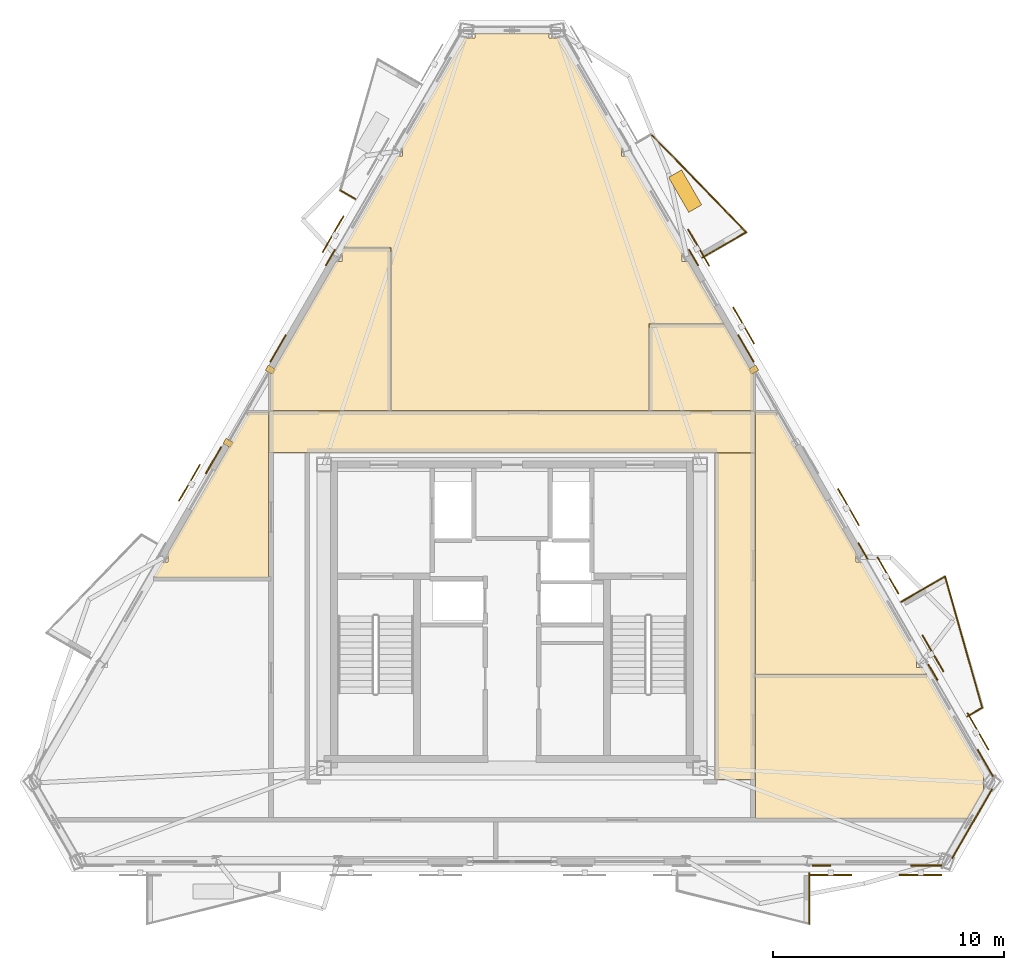
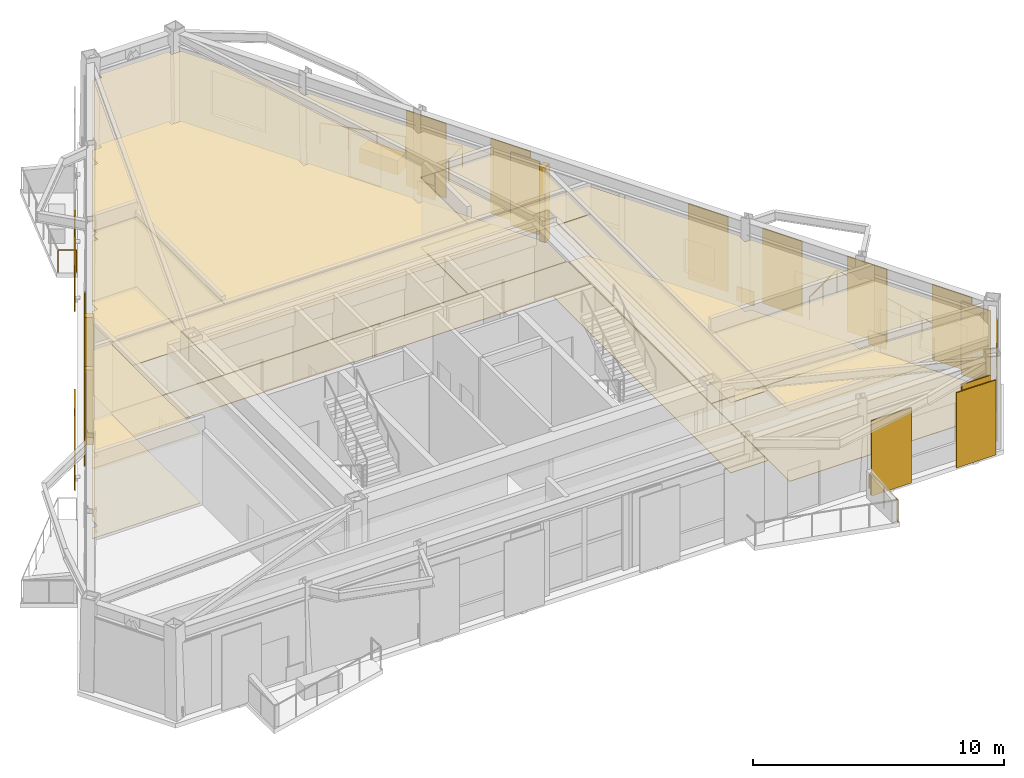
# One storey, part 15 of 16: 31 coverings, 10 shading devices, 7 railings.
"""IFC4 building model written with IfcOpenShell, lengths in metres."""

from ifc_helpers import new_model, si_unit, direction, frame, origin, origin_2d, place, context, subcontext, project, spatial, polyline, rectangle, circle, outline, extrude, material, layer, layer_set, type_object, element, save


model = new_model("IFC4")

# Units and contexts
model_context = context("Model", 3, precision=1e-05, world=origin(), true_north=direction((0.0, 1.0)))
body_context = subcontext(model_context, "Body", "Model", "MODEL_VIEW")
ifc_project = project(units=[si_unit("LENGTHUNIT", "METRE"), si_unit("AREAUNIT", "SQUARE_METRE"), si_unit("VOLUMEUNIT", "CUBIC_METRE"), si_unit("PLANEANGLEUNIT", "RADIAN"), si_unit("MASSUNIT", "GRAM", prefix="KILO")], contexts=[model_context])

# Site, building, storey
site_placement = place(None, origin())
site = spatial("IfcSite", under=ifc_project, at=site_placement, CompositionType="ELEMENT")
building_placement = place(site_placement, origin())
building = spatial("IfcBuilding", under=site, at=building_placement, Name="Oramaril Tower", CompositionType="ELEMENT")
storey_placement = place(building_placement, frame((0.0, 0.0, 296.699951171875)))
storey = spatial("IfcBuildingStorey", under=building, at=storey_placement, Name="L78", CompositionType="ELEMENT", Elevation=296.699951171875)

# Coverings
ifc_material_1 = material(Name="Mineral Fibre Acoustic Ceiling")
ifc_layer_1 = layer(ifc_material_1, 0.02001953125)
ifc_layer_set_1 = layer_set([ifc_layer_1], Name="CVT-CEIL")
covering_type_1 = type_object("IfcCoveringType", Name="CVT-CEIL", PredefinedType="CEILING", material=ifc_layer_set_1)
covering_1_placement = place(storey_placement, frame((0.0, 0.0, 3.412109375)))
element("IfcCovering", 1, at=covering_1_placement, inside=storey, type_object=covering_type_1, Name="L78 Acoustic Suspended Ceiling 2", PredefinedType="CEILING", context=body_context, shape_type="SweptSolid", body=[
    extrude(outline(polyline([(48.030029296875, 26.47998046875), (48.030029296875, 24.669921875), (26.969970703125, 24.669921875), (26.969970703125, 26.47998046875), (48.030029296875, 26.47998046875)])), origin(), (0.0, 0.0, 1.0), 0.02001953125),
])
covering_2_placement = place(storey_placement, frame((0.0, 0.0, 3.412109375)))
element("IfcCovering", 2, at=covering_2_placement, inside=storey, type_object=covering_type_1, Name="L78 Acoustic Suspended Ceiling 4", PredefinedType="CEILING", context=body_context, shape_type="SweptSolid", body=[
    extrude(outline(polyline([(48.030029296875, 10.5), (46.300048828125, 10.5), (46.300048828125, 24.64990234375), (48.030029296875, 24.64990234375), (48.030029296875, 10.5)])), origin(), (0.0, 0.0, 1.0), 0.02001953125),
])
covering_3_placement = place(storey_placement, frame((0.0, 0.0, 3.412109375)))
element("IfcCovering", 3, at=covering_3_placement, inside=storey, type_object=covering_type_1, Name="L78 Acoustic Suspended Ceiling 8", PredefinedType="CEILING", context=body_context, shape_type="SweptSolid", body=[
    extrude(outline(polyline([(22.327880859375, 19.922119140625), (22.593994140625, 19.922119140625), (22.593994140625, 20.370849609375), (22.5869140625, 20.370849609375), (26.092041015625, 26.44189453125), (26.949951171875, 26.44189453125), (26.949951171875, 24.669921875), (26.9501953125, 24.66796875), (26.950439453125, 24.666015625), (26.950927734375, 24.664306640625), (26.951416015625, 24.662353515625), (26.952392578125, 24.66064453125), (26.95263671875, 24.659912109375), (26.952392578125, 24.659423828125), (26.951416015625, 24.65771484375), (26.950927734375, 24.65576171875), (26.950439453125, 24.65380859375), (26.9501953125, 24.652099609375), (26.949951171875, 24.64990234375), (26.949951171875, 19.261962890625), (21.94677734375, 19.261962890625), (22.327880859375, 19.922119140625)])), origin(), (0.0, 0.0, 1.0), 0.02001953125),
])
covering_4_placement = place(storey_placement, frame((0.0, 0.0, 3.412109375)))
element("IfcCovering", 4, at=covering_4_placement, inside=storey, type_object=covering_type_1, Name="L78 Acoustic Suspended Ceiling 9", PredefinedType="CEILING", context=body_context, shape_type="SweptSolid", body=[
    extrude(outline(polyline([(55.48974609375, 15.0419921875), (57.98974609375, 10.7119140625), (57.94140625, 10.7119140625), (57.94140625, 10.02490234375), (57.962646484375, 10.02490234375), (57.2607421875, 8.809326171875), (57.260498046875, 8.8095703125), (57.258544921875, 8.810302734375), (57.2568359375, 8.81103515625), (57.2548828125, 8.8115234375), (57.2529296875, 8.81201171875), (57.2509765625, 8.81201171875), (48.050048828125, 8.81201171875), (48.050048828125, 10.47998046875), (48.0498046875, 10.48193359375), (48.049560546875, 10.48388671875), (48.049072265625, 10.48583984375), (48.048583984375, 10.48779296875), (48.047607421875, 10.489501953125), (48.04736328125, 10.489990234375), (48.047607421875, 10.490478515625), (48.048583984375, 10.4921875), (48.049072265625, 10.494140625), (48.049560546875, 10.49609375), (48.0498046875, 10.498046875), (48.050048828125, 10.5), (48.050048828125, 15.0419921875), (55.48974609375, 15.0419921875)])), origin(), (0.0, 0.0, 1.0), 0.02001953125),
])
covering_5_placement = place(storey_placement, frame((0.0, 0.0, 3.412109375)))
element("IfcCovering", 5, at=covering_5_placement, inside=storey, type_object=covering_type_1, Name="L78 Acoustic Suspended Ceiling 10", PredefinedType="CEILING", context=body_context, shape_type="SweptSolid", body=[
    extrude(outline(polyline([(52.4130859375, 20.370849609375), (52.406005859375, 20.370849609375), (52.406005859375, 19.922119140625), (52.672119140625, 19.922119140625), (55.046142578125, 15.810302734375), (55.042236328125, 15.810302734375), (55.042236328125, 15.3564453125), (55.30810546875, 15.3564453125), (55.478271484375, 15.06201171875), (48.050048828125, 15.06201171875), (48.050048828125, 24.64990234375), (48.0498046875, 24.652099609375), (48.049560546875, 24.65380859375), (48.049072265625, 24.65576171875), (48.048583984375, 24.65771484375), (48.047607421875, 24.659423828125), (48.04736328125, 24.659912109375), (48.047607421875, 24.66064453125), (48.048583984375, 24.662353515625), (48.049072265625, 24.664306640625), (48.049560546875, 24.666015625), (48.0498046875, 24.66796875), (48.050048828125, 24.669921875), (48.050048828125, 26.44189453125), (48.907958984375, 26.44189453125), (52.4130859375, 20.370849609375)])), origin(), (0.0, 0.0, 1.0), 0.02001953125),
])
covering_6_placement = place(storey_placement, frame((0.0, 0.0, 3.412109375)))
element("IfcCovering", 6, at=covering_6_placement, inside=storey, type_object=covering_type_1, Name="L78 Acoustic Suspended Ceiling 11", PredefinedType="CEILING", context=body_context, shape_type="SweptSolid", body=[
    extrude(outline(polyline([(32.241943359375, 26.5), (27.008056640625, 26.5), (27.008056640625, 28.028564453125), (29.859375, 32.96728515625), (30.12548828125, 32.96728515625), (30.12548828125, 33.40087890625), (30.109619140625, 33.40087890625), (30.191162109375, 33.5419921875), (32.241943359375, 33.5419921875), (32.241943359375, 26.5)])), origin(), (0.0, 0.0, 1.0), 0.02001953125),
])
covering_7_placement = place(storey_placement, frame((0.0, 0.0, 3.412109375)))
element("IfcCovering", 7, at=covering_7_placement, inside=storey, type_object=covering_type_1, Name="L78 Acoustic Suspended Ceiling 12", PredefinedType="CEILING", context=body_context, shape_type="SweptSolid", body=[
    extrude(outline(polyline([(43.4580078125, 30.241943359375), (46.714111328125, 30.241943359375), (47.991943359375, 28.028564453125), (47.991943359375, 26.5), (43.4580078125, 26.5), (43.4580078125, 30.241943359375)])), origin(), (0.0, 0.0, 1.0), 0.02001953125),
])
covering_8_placement = place(storey_placement, frame((0.0, 0.0, 3.412109375)))
element("IfcCovering", 8, at=covering_8_placement, inside=storey, type_object=covering_type_1, Name="L78 Acoustic Suspended Ceiling 13", PredefinedType="CEILING", context=body_context, shape_type="SweptSolid", body=[
    extrude(outline(polyline([(32.495361328125, 37.532958984375), (32.761474609375, 37.532958984375), (32.761474609375, 37.961181640625), (32.74267578125, 37.961181640625), (35.4423828125, 42.637451171875), (35.8876953125, 42.637451171875), (35.8876953125, 42.85888671875), (39.1123046875, 42.85888671875), (39.1123046875, 42.637451171875), (39.5576171875, 42.637451171875), (42.25732421875, 37.961181640625), (42.238525390625, 37.961181640625), (42.238525390625, 37.532958984375), (42.504638671875, 37.532958984375), (44.890380859375, 33.40087890625), (44.87451171875, 33.40087890625), (44.87451171875, 32.967041015625), (45.140625, 32.967041015625), (46.702392578125, 30.261962890625), (43.4580078125, 30.261962890625), (43.4560546875, 30.261962890625), (43.4541015625, 30.26171875), (43.4521484375, 30.260986328125), (43.4501953125, 30.260498046875), (43.448486328125, 30.259521484375), (43.447021484375, 30.258544921875), (43.4453125, 30.257568359375), (43.44384765625, 30.256103515625), (43.4423828125, 30.254638671875), (43.44140625, 30.253173828125), (43.4404296875, 30.25146484375), (43.439453125, 30.249755859375), (43.43896484375, 30.247802734375), (43.4384765625, 30.245849609375), (43.43798828125, 30.243896484375), (43.43798828125, 30.241943359375), (43.43798828125, 26.5), (32.261962890625, 26.5), (32.261962890625, 33.5419921875), (32.261962890625, 33.5439453125), (32.26171875, 33.5458984375), (32.260986328125, 33.5478515625), (32.260498046875, 33.5498046875), (32.259521484375, 33.551513671875), (32.258544921875, 33.552978515625), (32.257568359375, 33.5546875), (32.256103515625, 33.55615234375), (32.254638671875, 33.5576171875), (32.253173828125, 33.55859375), (32.25146484375, 33.5595703125), (32.249755859375, 33.560546875), (32.247802734375, 33.56103515625), (32.245849609375, 33.5615234375), (32.243896484375, 33.56201171875), (32.241943359375, 33.56201171875), (30.202880859375, 33.56201171875), (32.495361328125, 37.532958984375)])), origin(), (0.0, 0.0, 1.0), 0.02001953125),
])
ifc_material_2 = material(Name="Warm Cream Limestone", Category="masonry")
ifc_layer_2 = layer(ifc_material_2, 0.050048828125)
ifc_layer_set_2 = layer_set([ifc_layer_2], Name="CVT-CLD")
covering_type_2 = type_object("IfcCoveringType", Name="CVT-CLD", PredefinedType="CLADDING", material=ifc_layer_set_2)
covering_9_placement = place(storey_placement, frame((55.45703125, 6.7734375, 0.0400390625), z_axis=(0.0, 0.0, 1.0), x_axis=(1.0, 0.0, 0.0)))
element("IfcCovering", 9, at=covering_9_placement, inside=storey, type_object=covering_type_2, Name="L78 Warm Cream Limestone Cladding", PredefinedType="CLADDING", context=body_context, shape_type="SweptSolid", body=[
    extrude(rectangle(XDim=1.35009765625, YDim=0.050048828125, at=origin_2d()), origin(), (0.0, 0.0, 1.0), 3.577880859375),
])
covering_10_placement = place(storey_placement, frame((50.912841796875, 6.7734375, 0.0400390625), z_axis=(0.0, 0.0, 1.0), x_axis=(1.0, 0.0, 0.0)))
element("IfcCovering", 10, at=covering_10_placement, inside=storey, type_object=covering_type_2, Name="L78 Warm Cream Limestone Spandrel Cladding", PredefinedType="CLADDING", context=body_context, shape_type="SweptSolid", body=[
    extrude(rectangle(XDim=0.800048828125, YDim=0.050048828125, at=origin_2d()), origin(), (0.0, 0.0, 1.0), 0.679931640625),
])
covering_11_placement = place(storey_placement, frame((57.448486328125, 8.582763671875, 0.0400390625), z_axis=(0.0, 0.0, 1.0), x_axis=(0.499990930976, 0.866030639725, 0.0)))
element("IfcCovering", 11, at=covering_11_placement, inside=storey, type_object=covering_type_2, Name="L78 Warm Cream Limestone Cladding", PredefinedType="CLADDING", context=body_context, shape_type="SweptSolid", body=[
    extrude(rectangle(XDim=3.484375, YDim=0.050048828125, at=origin_2d()), origin(), (0.0, 0.0, 1.0), 3.577880859375),
])
covering_12_placement = place(storey_placement, frame((47.980712890625, 28.26416015625, 0.0), z_axis=(0.0, 0.0, 1.0), x_axis=(-0.5, 0.866025403784, 0.0)))
element("IfcCovering", 12, at=covering_12_placement, inside=storey, type_object=covering_type_2, Name="L78 Curtain Wall Limestone Jamb Closure", PredefinedType="CLADDING", context=body_context, shape_type="SweptSolid", body=[
    extrude(rectangle(XDim=0.260009765625, YDim=0.340087890625, at=origin_2d()), origin(), (0.0, 0.0, 1.0), 3.657958984375),
])
covering_13_placement = place(storey_placement, frame((58.019775390625, 11.2119140625, 0.0400390625), z_axis=(0.0, 0.0, 1.0), x_axis=(-0.5, 0.866025403784, 0.0)))
element("IfcCovering", 13, at=covering_13_placement, inside=storey, type_object=covering_type_2, Name="L78 Warm Cream Limestone Cladding", PredefinedType="CLADDING", context=body_context, shape_type="SweptSolid", body=[
    extrude(rectangle(XDim=1.35009765625, YDim=0.050048828125, at=origin_2d()), origin(), (0.0, 0.0, 1.0), 3.577880859375),
])
for number, where, z_axis, x_axis, name in (
    (14, (55.74755859375, 15.1474609375, 0.0400390625), (0.0, 0.0, 1.0), (-0.5, 0.866025403784, 0.0), "L78 Warm Cream Limestone Spandrel Cladding"),
    (15, (52.71337890625, 20.403076171875, 0.0400390625), (0.0, 0.0, 1.0), (-0.5, 0.866025403784, 0.0), "L78 Warm Cream Limestone Spandrel Cladding"),
):
    element("IfcCovering", number, at=place(storey_placement, frame(where, z_axis=z_axis, x_axis=x_axis)), inside=storey, type_object=covering_type_2, Name=name, PredefinedType="CLADDING", context=body_context, shape_type="SweptSolid", body=[
        extrude(rectangle(XDim=0.800048828125, YDim=0.050048828125, at=origin_2d()), origin(), (0.0, 0.0, 1.0), 0.679931640625),
    ])
covering_14_placement = place(storey_placement, frame((47.64111328125, 29.188232421875, 0.0400390625), z_axis=(0.0, 0.0, 1.0), x_axis=(-0.5, 0.866025403784, 0.0)))
element("IfcCovering", 16, at=covering_14_placement, inside=storey, type_object=covering_type_2, Name="L78 Warm Cream Limestone Cladding", PredefinedType="CLADDING", context=body_context, shape_type="SweptSolid", body=[
    extrude(rectangle(XDim=1.35009765625, YDim=0.050048828125, at=origin_2d()), origin(), (0.0, 0.0, 1.0), 3.577880859375),
])
covering_15_placement = place(storey_placement, frame((45.369140625, 33.123779296875, 0.0400390625), z_axis=(0.0, 0.0, 1.0), x_axis=(-0.5, 0.866025403784, 0.0)))
element("IfcCovering", 17, at=covering_15_placement, inside=storey, type_object=covering_type_2, Name="L78 Warm Cream Limestone Spandrel Cladding", PredefinedType="CLADDING", context=body_context, shape_type="SweptSolid", body=[
    extrude(rectangle(XDim=0.800048828125, YDim=0.050048828125, at=origin_2d()), origin(), (0.0, 0.0, 1.0), 0.679931640625),
])
for number, where, z_axis, x_axis, name in (
    (18, (27.019287109375, 28.26416015625, 0.0), (0.0, 0.0, 1.0), (-0.5, -0.866025403784, 0.0), "L78 Curtain Wall Limestone Jamb Closure"),
    (19, (25.189453125, 25.094482421875, 0.0), (0.0, 0.0, 1.0), (-0.5, -0.866025403784, 0.0), "L78 Curtain Wall Limestone Jamb Closure"),
):
    element("IfcCovering", number, at=place(storey_placement, frame(where, z_axis=z_axis, x_axis=x_axis)), inside=storey, type_object=covering_type_2, Name=name, PredefinedType="CLADDING", context=body_context, shape_type="SweptSolid", body=[
        extrude(rectangle(XDim=0.260009765625, YDim=0.340087890625, at=origin_2d()), origin(), (0.0, 0.0, 1.0), 3.657958984375),
    ])
covering_16_placement = place(storey_placement, frame((27.35888671875, 29.188232421875, 0.0400390625), z_axis=(0.0, 0.0, 1.0), x_axis=(-0.5, -0.866025403784, 0.0)))
element("IfcCovering", 20, at=covering_16_placement, inside=storey, type_object=covering_type_2, Name="L78 Warm Cream Limestone Cladding", PredefinedType="CLADDING", context=body_context, shape_type="SweptSolid", body=[
    extrude(rectangle(XDim=1.35009765625, YDim=0.050048828125, at=origin_2d()), origin(), (0.0, 0.0, 1.0), 3.577880859375),
])
covering_17_placement = place(storey_placement, frame((29.631103515625, 33.123779296875, 0.0400390625), z_axis=(0.0, 0.0, 1.0), x_axis=(-0.5, -0.866025403784, 0.0)))
element("IfcCovering", 21, at=covering_17_placement, inside=storey, type_object=covering_type_2, Name="L78 Warm Cream Limestone Spandrel Cladding", PredefinedType="CLADDING", context=body_context, shape_type="SweptSolid", body=[
    extrude(rectangle(XDim=0.800048828125, YDim=0.050048828125, at=origin_2d()), origin(), (0.0, 0.0, 1.0), 0.679931640625),
])
covering_18_placement = place(storey_placement, frame((24.558837890625, 24.33837890625, 0.0400390625), z_axis=(0.0, 0.0, 1.0), x_axis=(-0.5, -0.866025403784, 0.0)))
element("IfcCovering", 22, at=covering_18_placement, inside=storey, type_object=covering_type_2, Name="L78 Warm Cream Limestone Cladding", PredefinedType="CLADDING", context=body_context, shape_type="SweptSolid", body=[
    extrude(rectangle(XDim=1.35009765625, YDim=0.050048828125, at=origin_2d()), origin(), (0.0, 0.0, 1.0), 3.577880859375),
])
covering_19_placement = place(storey_placement, frame((45.007080078125, 36.007568359375, 0.0), z_axis=(0.0, 0.0, 1.0), x_axis=(-0.5, 0.866025403784, 0.0)))
element("IfcCovering", 23, at=covering_19_placement, inside=storey, type_object=covering_type_2, Name="L78 Structural Tree Planter Box L78-BAL-NE2", PredefinedType="CLADDING", context=body_context, shape_type="SweptSolid", body=[
    extrude(rectangle(XDim=1.75, YDim=0.64990234375, at=origin_2d()), origin(), (0.0, 0.0, 1.0), 0.699951171875),
])
ifc_material_3 = material(Name="Honed Quartzite Stone Flooring", Category="masonry")
ifc_layer_3 = layer(ifc_material_3, 0.02490234375)
ifc_layer_set_3 = layer_set([ifc_layer_3], Name="CVT-FLR")
covering_type_3 = type_object("IfcCoveringType", Name="CVT-FLR", PredefinedType="FLOORING", material=ifc_layer_set_3)
covering_20_placement = place(storey_placement, origin())
element("IfcCovering", 24, at=covering_20_placement, inside=storey, type_object=covering_type_3, Name="L78 Honed Stone Floor Finish 2", PredefinedType="FLOORING", context=body_context, shape_type="SweptSolid", body=[
    extrude(outline(polyline([(48.030029296875, 26.47998046875), (48.030029296875, 24.669921875), (26.969970703125, 24.669921875), (26.969970703125, 26.47998046875), (48.030029296875, 26.47998046875)])), origin(), (0.0, 0.0, 1.0), 0.025146484375),
])
covering_21_placement = place(storey_placement, origin())
element("IfcCovering", 25, at=covering_21_placement, inside=storey, type_object=covering_type_3, Name="L78 Honed Stone Floor Finish 4", PredefinedType="FLOORING", context=body_context, shape_type="SweptSolid", body=[
    extrude(outline(polyline([(48.030029296875, 10.5), (46.300048828125, 10.5), (46.300048828125, 24.64990234375), (48.030029296875, 24.64990234375), (48.030029296875, 10.5)])), origin(), (0.0, 0.0, 1.0), 0.025146484375),
])
covering_22_placement = place(storey_placement, origin())
element("IfcCovering", 26, at=covering_22_placement, inside=storey, type_object=covering_type_3, Name="L78 Honed Stone Floor Finish 8", PredefinedType="FLOORING", context=body_context, shape_type="SweptSolid", body=[
    extrude(outline(polyline([(22.327880859375, 19.922119140625), (22.593994140625, 19.922119140625), (22.593994140625, 20.370849609375), (22.5869140625, 20.370849609375), (26.092041015625, 26.44189453125), (26.949951171875, 26.44189453125), (26.949951171875, 24.669921875), (26.9501953125, 24.66796875), (26.950439453125, 24.666015625), (26.950927734375, 24.664306640625), (26.951416015625, 24.662353515625), (26.952392578125, 24.66064453125), (26.95263671875, 24.659912109375), (26.952392578125, 24.659423828125), (26.951416015625, 24.65771484375), (26.950927734375, 24.65576171875), (26.950439453125, 24.65380859375), (26.9501953125, 24.652099609375), (26.949951171875, 24.64990234375), (26.949951171875, 19.261962890625), (21.94677734375, 19.261962890625), (22.327880859375, 19.922119140625)])), origin(), (0.0, 0.0, 1.0), 0.025146484375),
])
covering_23_placement = place(storey_placement, origin())
element("IfcCovering", 27, at=covering_23_placement, inside=storey, type_object=covering_type_3, Name="L78 Honed Stone Floor Finish 9", PredefinedType="FLOORING", context=body_context, shape_type="SweptSolid", body=[
    extrude(outline(polyline([(55.48974609375, 15.0419921875), (57.98974609375, 10.7119140625), (57.94140625, 10.7119140625), (57.94140625, 10.02490234375), (57.962646484375, 10.02490234375), (57.2607421875, 8.809326171875), (57.260498046875, 8.8095703125), (57.258544921875, 8.810302734375), (57.2568359375, 8.81103515625), (57.2548828125, 8.8115234375), (57.2529296875, 8.81201171875), (57.2509765625, 8.81201171875), (48.050048828125, 8.81201171875), (48.050048828125, 10.47998046875), (48.0498046875, 10.48193359375), (48.049560546875, 10.48388671875), (48.049072265625, 10.48583984375), (48.048583984375, 10.48779296875), (48.047607421875, 10.489501953125), (48.04736328125, 10.489990234375), (48.047607421875, 10.490478515625), (48.048583984375, 10.4921875), (48.049072265625, 10.494140625), (48.049560546875, 10.49609375), (48.0498046875, 10.498046875), (48.050048828125, 10.5), (48.050048828125, 15.0419921875), (55.48974609375, 15.0419921875)])), origin(), (0.0, 0.0, 1.0), 0.025146484375),
])
covering_24_placement = place(storey_placement, origin())
element("IfcCovering", 28, at=covering_24_placement, inside=storey, type_object=covering_type_3, Name="L78 Honed Stone Floor Finish 10", PredefinedType="FLOORING", context=body_context, shape_type="SweptSolid", body=[
    extrude(outline(polyline([(52.4130859375, 20.370849609375), (52.406005859375, 20.370849609375), (52.406005859375, 19.922119140625), (52.672119140625, 19.922119140625), (55.046142578125, 15.810302734375), (55.042236328125, 15.810302734375), (55.042236328125, 15.3564453125), (55.30810546875, 15.3564453125), (55.478271484375, 15.06201171875), (48.050048828125, 15.06201171875), (48.050048828125, 24.64990234375), (48.0498046875, 24.652099609375), (48.049560546875, 24.65380859375), (48.049072265625, 24.65576171875), (48.048583984375, 24.65771484375), (48.047607421875, 24.659423828125), (48.04736328125, 24.659912109375), (48.047607421875, 24.66064453125), (48.048583984375, 24.662353515625), (48.049072265625, 24.664306640625), (48.049560546875, 24.666015625), (48.0498046875, 24.66796875), (48.050048828125, 24.669921875), (48.050048828125, 26.44189453125), (48.907958984375, 26.44189453125), (52.4130859375, 20.370849609375)])), origin(), (0.0, 0.0, 1.0), 0.025146484375),
])
covering_25_placement = place(storey_placement, origin())
element("IfcCovering", 29, at=covering_25_placement, inside=storey, type_object=covering_type_3, Name="L78 Honed Stone Floor Finish 11", PredefinedType="FLOORING", context=body_context, shape_type="SweptSolid", body=[
    extrude(outline(polyline([(32.241943359375, 26.5), (27.008056640625, 26.5), (27.008056640625, 28.028564453125), (29.859375, 32.96728515625), (30.12548828125, 32.96728515625), (30.12548828125, 33.40087890625), (30.109619140625, 33.40087890625), (30.191162109375, 33.5419921875), (32.241943359375, 33.5419921875), (32.241943359375, 26.5)])), origin(), (0.0, 0.0, 1.0), 0.025146484375),
])
covering_26_placement = place(storey_placement, origin())
element("IfcCovering", 30, at=covering_26_placement, inside=storey, type_object=covering_type_3, Name="L78 Honed Stone Floor Finish 12", PredefinedType="FLOORING", context=body_context, shape_type="SweptSolid", body=[
    extrude(outline(polyline([(43.4580078125, 30.241943359375), (46.714111328125, 30.241943359375), (47.991943359375, 28.028564453125), (47.991943359375, 26.5), (43.4580078125, 26.5), (43.4580078125, 30.241943359375)])), origin(), (0.0, 0.0, 1.0), 0.025146484375),
])
covering_27_placement = place(storey_placement, origin())
element("IfcCovering", 31, at=covering_27_placement, inside=storey, type_object=covering_type_3, Name="L78 Honed Stone Floor Finish 13", PredefinedType="FLOORING", context=body_context, shape_type="SweptSolid", body=[
    extrude(outline(polyline([(32.495361328125, 37.532958984375), (32.761474609375, 37.532958984375), (32.761474609375, 37.961181640625), (32.74267578125, 37.961181640625), (35.4423828125, 42.637451171875), (35.8876953125, 42.637451171875), (35.8876953125, 42.85888671875), (39.1123046875, 42.85888671875), (39.1123046875, 42.637451171875), (39.5576171875, 42.637451171875), (42.25732421875, 37.961181640625), (42.238525390625, 37.961181640625), (42.238525390625, 37.532958984375), (42.504638671875, 37.532958984375), (44.890380859375, 33.40087890625), (44.87451171875, 33.40087890625), (44.87451171875, 32.967041015625), (45.140625, 32.967041015625), (46.702392578125, 30.261962890625), (43.4580078125, 30.261962890625), (43.4560546875, 30.261962890625), (43.4541015625, 30.26171875), (43.4521484375, 30.260986328125), (43.4501953125, 30.260498046875), (43.448486328125, 30.259521484375), (43.447021484375, 30.258544921875), (43.4453125, 30.257568359375), (43.44384765625, 30.256103515625), (43.4423828125, 30.254638671875), (43.44140625, 30.253173828125), (43.4404296875, 30.25146484375), (43.439453125, 30.249755859375), (43.43896484375, 30.247802734375), (43.4384765625, 30.245849609375), (43.43798828125, 30.243896484375), (43.43798828125, 30.241943359375), (43.43798828125, 26.5), (32.261962890625, 26.5), (32.261962890625, 33.5419921875), (32.261962890625, 33.5439453125), (32.26171875, 33.5458984375), (32.260986328125, 33.5478515625), (32.260498046875, 33.5498046875), (32.259521484375, 33.551513671875), (32.258544921875, 33.552978515625), (32.257568359375, 33.5546875), (32.256103515625, 33.55615234375), (32.254638671875, 33.5576171875), (32.253173828125, 33.55859375), (32.25146484375, 33.5595703125), (32.249755859375, 33.560546875), (32.247802734375, 33.56103515625), (32.245849609375, 33.5615234375), (32.243896484375, 33.56201171875), (32.241943359375, 33.56201171875), (30.202880859375, 33.56201171875), (32.495361328125, 37.532958984375)])), origin(), (0.0, 0.0, 1.0), 0.025146484375),
])

# Railings
ifc_material_4 = material(Name="Stainless Steel 316L", Category="steel")
railing_type = type_object("IfcRailingType", Name="RLT-GRD", PredefinedType="GUARDRAIL", material=ifc_material_4)
railing_1_placement = place(storey_placement, frame((50.3876953125, 6.433349609375, 0.0)))
element("IfcRailing", 32, at=railing_1_placement, inside=storey, type_object=railing_type, Name="L78 Balcony Guardrail L78-BAL-S2.1", PredefinedType="GUARDRAIL", context=body_context, shape_type="SweptSolid", body=[
    extrude(circle(Radius=0.02392578125, at=origin_2d()), frame((0.0, 0.0, 1.076171875), z_axis=(0.0, -1.0, 0.0), x_axis=(1.0, 0.0, 0.0)), (0.0, 0.0, 1.0), 2.19189453125),
    extrude(circle(Radius=0.02099609375, at=origin_2d()), origin(), (0.0, 0.0, 1.0), 1.052001953125),
    extrude(circle(Radius=0.02099609375, at=origin_2d()), frame((0.0, -1.095947265625, 0.0)), (0.0, 0.0, 1.0), 1.052001953125),
    extrude(circle(Radius=0.02099609375, at=origin_2d()), frame((0.0, -2.19189453125, 0.0)), (0.0, 0.0, 1.0), 1.052001953125),
])
railing_2_placement = place(storey_placement, frame((54.376953125, 18.201416015625, 0.0)))
element("IfcRailing", 33, at=railing_2_placement, inside=storey, type_object=railing_type, Name="L78 Balcony Guardrail L78-BAL-NE1.1", PredefinedType="GUARDRAIL", context=body_context, shape_type="SweptSolid", body=[
    extrude(circle(Radius=0.02392578125, at=origin_2d()), frame((0.0, 0.0, 1.076171875), z_axis=(0.866048343933, 0.499960264392, 0.0), x_axis=(-0.499960264392, 0.866048343933, 0.0)), (0.0, 0.0, 1.0), 2.192138671875),
    extrude(circle(Radius=0.02099609375, at=origin_2d()), origin(), (0.0, 0.0, 1.0), 1.052001953125),
    extrude(circle(Radius=0.02099609375, at=origin_2d()), frame((0.94921875, 0.5478515625, 0.0)), (0.0, 0.0, 1.0), 1.052001953125),
    extrude(circle(Radius=0.02099609375, at=origin_2d()), frame((1.8984375, 1.095947265625, 0.0)), (0.0, 0.0, 1.0), 1.052001953125),
])
railing_3_placement = place(storey_placement, frame((56.275390625, 19.29736328125, 0.0)))
element("IfcRailing", 34, at=railing_3_placement, inside=storey, type_object=railing_type, Name="L78 Balcony Guardrail L78-BAL-NE1.2", PredefinedType="GUARDRAIL", context=body_context, shape_type="SweptSolid", body=[
    extrude(circle(Radius=0.02392578125, at=origin_2d()), frame((0.0, 0.0, 1.076171875), z_axis=(0.27224886544, -0.962226873074, 0.0), x_axis=(0.962226873074, 0.27224886544, 0.0)), (0.0, 0.0, 1.0), 5.910400390625),
    extrude(circle(Radius=0.02099609375, at=origin_2d()), origin(), (0.0, 0.0, 1.0), 1.052001953125),
    extrude(circle(Radius=0.02099609375, at=origin_2d()), frame((0.32177734375, -1.137451171875, 0.0)), (0.0, 0.0, 1.0), 1.052001953125),
    extrude(circle(Radius=0.02099609375, at=origin_2d()), frame((0.6435546875, -2.27490234375, 0.0)), (0.0, 0.0, 1.0), 1.052001953125),
    extrude(circle(Radius=0.02099609375, at=origin_2d()), frame((0.965576171875, -3.412353515625, 0.0)), (0.0, 0.0, 1.0), 1.052001953125),
    extrude(circle(Radius=0.02099609375, at=origin_2d()), frame((1.287353515625, -4.5498046875, 0.0)), (0.0, 0.0, 1.0), 1.052001953125),
    extrude(circle(Radius=0.02099609375, at=origin_2d()), frame((1.609130859375, -5.687255859375, 0.0)), (0.0, 0.0, 1.0), 1.052001953125),
])
railing_4_placement = place(storey_placement, frame((57.884521484375, 13.610107421875, 0.0)))
element("IfcRailing", 35, at=railing_4_placement, inside=storey, type_object=railing_type, Name="L78 Balcony Guardrail L78-BAL-NE1.3", PredefinedType="GUARDRAIL", context=body_context, shape_type="SweptSolid", body=[
    extrude(circle(Radius=0.02392578125, at=origin_2d()), frame((0.0, 0.0, 1.076171875), z_axis=(-0.866108878364, -0.499855389907, 0.0), x_axis=(0.499855389907, -0.866108878364, 0.0)), (0.0, 0.0, 1.0), 0.741943359375),
    extrude(circle(Radius=0.02099609375, at=origin_2d()), origin(), (0.0, 0.0, 1.0), 1.052001953125),
    extrude(circle(Radius=0.02099609375, at=origin_2d()), frame((-0.642578125, -0.370849609375, 0.0)), (0.0, 0.0, 1.0), 1.052001953125),
])
railing_5_placement = place(storey_placement, frame((43.5341796875, 38.46533203125, 0.0)))
element("IfcRailing", 36, at=railing_5_placement, inside=storey, type_object=railing_type, Name="L78 Balcony Guardrail L78-BAL-NE2.2", PredefinedType="GUARDRAIL", context=body_context, shape_type="SweptSolid", body=[
    extrude(circle(Radius=0.02392578125, at=origin_2d()), frame((0.0, 0.0, 1.076171875), z_axis=(0.697186915353, -0.716889395277, 0.0), x_axis=(0.716889395277, 0.697186915353, 0.0)), (0.0, 0.0, 1.0), 5.91064453125),
    extrude(circle(Radius=0.02099609375, at=origin_2d()), origin(), (0.0, 0.0, 1.0), 1.052001953125),
    extrude(circle(Radius=0.02099609375, at=origin_2d()), frame((0.82421875, -0.847412109375, 0.0)), (0.0, 0.0, 1.0), 1.052001953125),
    extrude(circle(Radius=0.02099609375, at=origin_2d()), frame((1.6484375, -1.69482421875, 0.0)), (0.0, 0.0, 1.0), 1.052001953125),
    extrude(circle(Radius=0.02099609375, at=origin_2d()), frame((2.472412109375, -2.54248046875, 0.0)), (0.0, 0.0, 1.0), 1.052001953125),
    extrude(circle(Radius=0.02099609375, at=origin_2d()), frame((3.296630859375, -3.389892578125, 0.0)), (0.0, 0.0, 1.0), 1.052001953125),
    extrude(circle(Radius=0.02099609375, at=origin_2d()), frame((4.120849609375, -4.2373046875, 0.0)), (0.0, 0.0, 1.0), 1.052001953125),
])
railing_6_placement = place(storey_placement, frame((47.655029296875, 34.22802734375, 0.0)))
element("IfcRailing", 37, at=railing_6_placement, inside=storey, type_object=railing_type, Name="L78 Balcony Guardrail L78-BAL-NE2.3", PredefinedType="GUARDRAIL", context=body_context, shape_type="SweptSolid", body=[
    extrude(circle(Radius=0.02392578125, at=origin_2d()), frame((0.0, 0.0, 1.076171875), z_axis=(-0.866020500697, -0.5000084923, 0.0), x_axis=(0.5000084923, -0.866020500697, 0.0)), (0.0, 0.0, 1.0), 2.19189453125),
    extrude(circle(Radius=0.02099609375, at=origin_2d()), origin(), (0.0, 0.0, 1.0), 1.052001953125),
    extrude(circle(Radius=0.02099609375, at=origin_2d()), frame((-0.94921875, -0.5478515625, 0.0)), (0.0, 0.0, 1.0), 1.052001953125),
    extrude(circle(Radius=0.02099609375, at=origin_2d()), frame((-1.898193359375, -1.095947265625, 0.0)), (0.0, 0.0, 1.0), 1.052001953125),
])
railing_7_placement = place(storey_placement, frame((30.705810546875, 35.665283203125, 0.0)))
element("IfcRailing", 38, at=railing_7_placement, inside=storey, type_object=railing_type, Name="L78 Balcony Guardrail L78-BAL-NW1.1", PredefinedType="GUARDRAIL", context=body_context, shape_type="SweptSolid", body=[
    extrude(circle(Radius=0.02392578125, at=origin_2d()), frame((0.0, 0.0, 1.076171875), z_axis=(-0.865966403178, 0.500102178127, 0.0), x_axis=(-0.500102178127, -0.865966403178, 0.0)), (0.0, 0.0, 1.0), 0.741943359375),
    extrude(circle(Radius=0.02099609375, at=origin_2d()), origin(), (0.0, 0.0, 1.0), 1.052001953125),
    extrude(circle(Radius=0.02099609375, at=origin_2d()), frame((-0.642578125, 0.37109375, 0.0)), (0.0, 0.0, 1.0), 1.052001953125),
])

# Shading devices
for number, where, z_axis, x_axis, name in (
    (39, (51.3125, 6.361328125, -0.02001953125), (0.0, 0.0, 1.0), (1.0, 0.0, 0.0), "L78 Perforated Ceramic Solar Screen"),
    (40, (55.21240234375, 6.361328125, -0.02001953125), (0.0, 0.0, 1.0), (1.0, 0.0, 0.0), "L78 Perforated Ceramic Solar Screen"),
    (41, (57.705322265625, 12.58056640625, -0.02001953125), (0.0, 0.0, 1.0), (-0.499996976998, 0.866027149108, 0.0), "L78 Perforated Ceramic Solar Screen"),
    (42, (55.748779296875, 15.969482421875, -0.02001953125), (0.0, 0.0, 1.0), (-0.499996976998, 0.866027149108, 0.0), "L78 Perforated Ceramic Solar Screen"),
    (43, (53.798583984375, 19.34716796875, -0.02001953125), (0.0, 0.0, 1.0), (-0.499996976998, 0.866027149108, 0.0), "L78 Perforated Ceramic Solar Screen"),
    (44, (52.08837890625, 22.3095703125, -0.02001953125), (0.0, 0.0, 1.0), (-0.499996976998, 0.866027149108, 0.0), "L78 Perforated Ceramic Solar Screen"),
    (45, (47.544677734375, 30.17919921875, -0.02001953125), (0.0, 0.0, 1.0), (-0.500001511499, 0.866024531118, 0.0), "L78 Perforated Ceramic Solar Screen"),
    (46, (45.5947265625, 33.556884765625, -0.02001953125), (0.0, 0.0, 1.0), (-0.500001511499, 0.866024531118, 0.0), "L78 Perforated Ceramic Solar Screen"),
    (47, (29.743896484375, 34.143310546875, -0.02001953125), (0.0, 0.0, 1.0), (-0.499996976998, -0.866027149108, 0.0), "L78 Perforated Ceramic Solar Screen"),
    (48, (23.51806640625, 23.359619140625, -0.02001953125), (0.0, 0.0, 1.0), (-0.500001511499, -0.866024531118, 0.0), "L78 Perforated Ceramic Solar Screen"),
):
    element("IfcShadingDevice", number, at=place(storey_placement, frame(where, z_axis=z_axis, x_axis=x_axis)), inside=storey, Name=name, ObjectType="SCREEN", PredefinedType="USERDEFINED", context=body_context, shape_type="SweptSolid", body=[
        extrude(rectangle(XDim=1.8330078125, YDim=0.050048828125, at=origin_2d()), origin(), (0.0, 0.0, 1.0), 3.657958984375),
    ])

save(model, "model.ifc")
